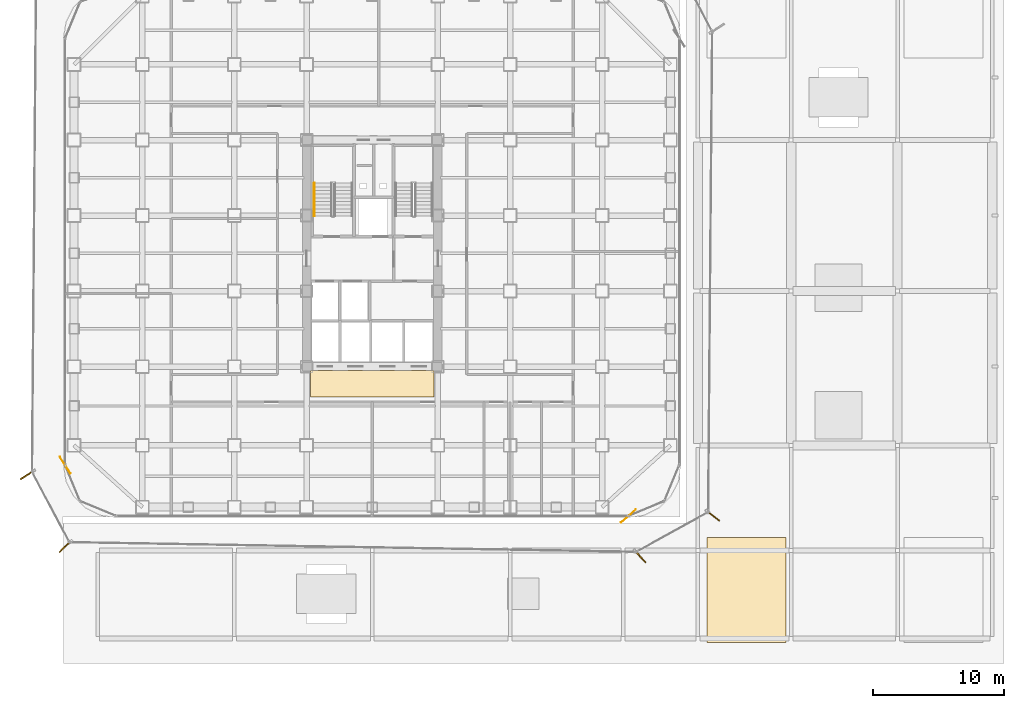
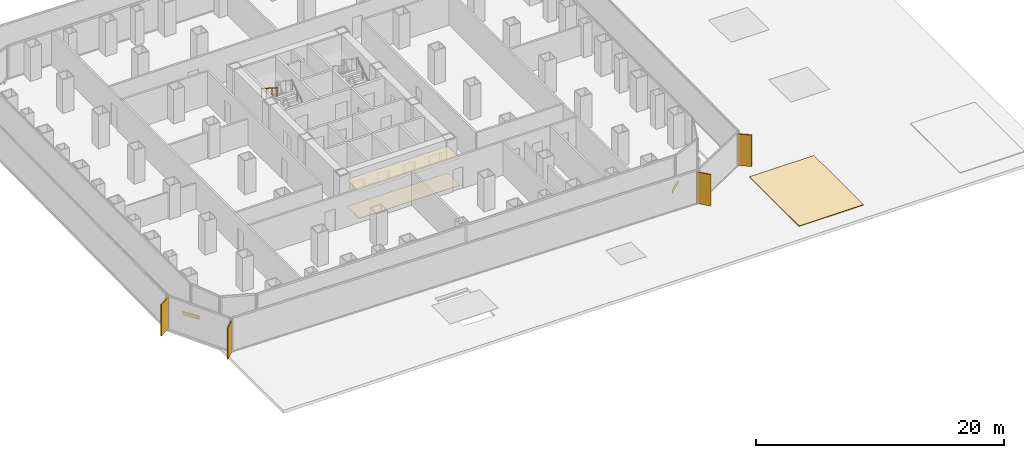
# One storey, part 25 of 27: 5 coverings, 4 shading devices, 1 railing.
"""IFC4 building model written with IfcOpenShell, lengths in metres."""

from ifc_helpers import new_model, si_unit, direction, frame, origin, origin_2d, place, context, subcontext, project, spatial, polyline, rectangle, circle, outline, extrude, source, transform, mapped, material, layer, layer_set, type_object, element, save


model = new_model("IFC4")

# Units and contexts
model_context = context("Model", 3, precision=1e-05, world=origin(), true_north=direction((0.0, 1.0)))
body_context = subcontext(model_context, "Body", "Model", "MODEL_VIEW")
ifc_project = project(units=[si_unit("LENGTHUNIT", "METRE"), si_unit("AREAUNIT", "SQUARE_METRE"), si_unit("VOLUMEUNIT", "CUBIC_METRE"), si_unit("PLANEANGLEUNIT", "RADIAN"), si_unit("MASSUNIT", "GRAM", prefix="KILO")], contexts=[model_context])

# Site, building, storey
site_placement = place(None, origin())
site = spatial("IfcSite", under=ifc_project, at=site_placement, CompositionType="ELEMENT")
building_placement = place(site_placement, origin())
building = spatial("IfcBuilding", under=site, at=building_placement, Name="Kolveth Station Tower", CompositionType="ELEMENT")
storey_placement = place(building_placement, frame((0.0, 0.0, 22.5)))
storey = spatial("IfcBuildingStorey", under=building, at=storey_placement, Name="L05", CompositionType="ELEMENT", Elevation=22.5)

# Coverings
ifc_material_1 = material(Name="Acoustic mineral-fibre ceiling tile")
ifc_layer_1 = layer(ifc_material_1, 0.02490234375)
ifc_layer_set_1 = layer_set([ifc_layer_1], Name="Acoustic mineral-fibre ceiling tile")
covering_type_1 = type_object("IfcCoveringType", Name="Ceil_CL1", PredefinedType="CEILING", material=ifc_layer_set_1)
covering_1_placement = place(storey_placement, frame((0.0, 0.0, 2.64990234375)))
element("IfcCovering", 1, at=covering_1_placement, inside=storey, type_object=covering_type_1, Name="L05 Lift Lobby Suspended Ceiling", PredefinedType="CEILING", context=body_context, shape_type="SweptSolid", body=[
    extrude(outline(polyline([(18.800048828125, 9.199951171875), (28.199951171875, 9.199951171875), (28.199951171875, 11.199951171875), (18.800048828125, 11.199951171875), (18.800048828125, 9.199951171875)])), origin(), (0.0, 0.0, 1.0), 0.025146484375),
])
ifc_material_2 = material(Name="Honed terrazzo flooring")
ifc_layer_2 = layer(ifc_material_2, 0.02001953125)
ifc_layer_set_2 = layer_set([ifc_layer_2], Name="Honed terrazzo flooring")
covering_type_2 = type_object("IfcCoveringType", Name="Floor_FL1", PredefinedType="FLOORING", material=ifc_layer_set_2)
covering_2_placement = place(storey_placement, origin())
element("IfcCovering", 2, at=covering_2_placement, inside=storey, type_object=covering_type_2, Name="L05 Lift Lobby Floor Finish", PredefinedType="FLOORING", context=body_context, shape_type="SweptSolid", body=[
    extrude(outline(polyline([(18.800048828125, 9.199951171875), (28.199951171875, 9.199951171875), (28.199951171875, 11.199951171875), (18.800048828125, 11.199951171875), (18.800048828125, 9.199951171875)])), origin(), (0.0, 0.0, 1.0), 0.02001953125),
])

# Railing
ifc_material_3 = material(Name="Brushed stainless steel", Category="steel")
railing_type = type_object("IfcRailingType", Name="Handrail_HR1", PredefinedType="HANDRAIL", material=ifc_material_3)
railing_placement = place(storey_placement, frame((19.090087890625, 25.469970703125, 1.97998046875)))
element("IfcRailing", 3, at=railing_placement, inside=storey, type_object=railing_type, Name="L05 ST1 stair handrail 2", PredefinedType="HANDRAIL", context=body_context, shape_type="SweptSolid", body=[
    extrude(circle(Radius=0.02392578125, at=origin_2d()), frame((0.0, 0.0, 0.8759765625), z_axis=(0.0, -0.841162588446, 0.540782303519), x_axis=(1.0, 0.0, 0.0)), (0.0, 0.0, 1.0), 2.995849609375),
    extrude(circle(Radius=0.02099609375, at=origin_2d()), origin(), (0.0, 0.0, 1.0), 0.851806640625),
    extrude(circle(Radius=0.02099609375, at=origin_2d()), frame((0.0, -0.840087890625, 0.5400390625)), (0.0, 0.0, 1.0), 0.851806640625),
    extrude(circle(Radius=0.02099609375, at=origin_2d()), frame((0.0, -1.679931640625, 1.080078125)), (0.0, 0.0, 1.0), 0.851806640625),
    extrude(circle(Radius=0.02099609375, at=origin_2d()), frame((0.0, -2.52001953125, 1.6201171875)), (0.0, 0.0, 1.0), 0.851806640625),
])

# Covering
ifc_material_4 = material(Name="Insulated EPDM roofing membrane")
ifc_layer_3 = layer(ifc_material_4, 0.06005859375)
ifc_layer_set_3 = layer_set([ifc_layer_3], Name="Insulated EPDM roofing membrane")
covering_type_3 = type_object("IfcCoveringType", Name="Roof_RF1", PredefinedType="ROOFING", material=ifc_layer_set_3)
covering_3_placement = place(storey_placement, origin())
element("IfcCovering", 4, at=covering_3_placement, inside=storey, type_object=covering_type_3, Name="L05 Station Canopy Roofing Membrane 1", PredefinedType="ROOFING", context=body_context, shape_type="SweptSolid", body=[
    extrude(outline(polyline([(49.0, -9.5), (55.0, -9.5), (55.0, -1.5), (49.0, -1.5), (49.0, -9.5)])), origin(), (0.0, 0.0, 1.0), 0.06005859375),
])

# Shading devices
ifc_material_5 = material(Name="Black anodized aluminium 6063-T6", Category="aluminium")
shading_device_type = type_object("IfcShadingDeviceType", Name="FIN_VF1", PredefinedType="USERDEFINED", material=ifc_material_5)
shared_shape_1 = source(origin(), body_context, "Body", "SweptSolid", [
    extrude(rectangle(XDim=1.25, YDim=0.090087890625, at=origin_2d()), origin(), (0.0, 0.0, 1.0), 3.10009765625),
])
for number, where, z_axis, x_axis, name in (
    (5, (43.89404296875, -2.951904296875, 0.0), (0.0, 0.0, 1.0), (0.660132778235, -0.75114893004, 0.0), "L05 Dark-Aluminium Solar Fin 1"),
    (6, (49.444091796875, 0.138916015625, 0.0), (0.0, 0.0, 1.0), (0.790368909154, -0.612631200187, 0.0), "L05 Dark-Aluminium Solar Fin 2"),
    (7, (-2.76806640625, 3.24609375, 0.0), (0.0, 0.0, 1.0), (-0.839430209734, -0.543467499475, 0.0), "L05 Dark-Aluminium Solar Fin 7"),
    (8, (0.135986328125, -2.193115234375, 0.0), (0.0, 0.0, 1.0), (-0.721155944485, -0.692772764861, 0.0), "L05 Dark-Aluminium Solar Fin 8"),
):
    element("IfcShadingDevice", number, at=place(storey_placement, frame(where, z_axis=z_axis, x_axis=x_axis)), inside=storey, type_object=shading_device_type, Name=name, ObjectType="FIN", PredefinedType="USERDEFINED", context=body_context, shape_type="MappedRepresentation", body=[
        mapped(shared_shape_1, transform((0.0, 0.0, 0.0), x_axis=(1.0, 0.0, 0.0), y_axis=(0.0, 1.0, 0.0), z_axis=(0.0, 0.0, 1.0), scale=1.0)),
    ])

# Coverings
ifc_material_6 = material(Name="Charcoal anodized aluminium spandrel cladding", Category="aluminium")
ifc_layer_4 = layer(ifc_material_6, 0.044921875)
ifc_layer_set_4 = layer_set([ifc_layer_4], Name="Charcoal anodized aluminium spandrel cladding")
covering_type_4 = type_object("IfcCoveringType", Name="Clad_CD1", PredefinedType="CLADDING", material=ifc_layer_set_4)
shared_shape_2 = source(origin(), body_context, "Body", "SweptSolid", [
    extrude(rectangle(XDim=1.5, YDim=0.044921875, at=origin_2d()), origin(), (0.0, 0.0, 1.0), 0.360107421875),
])
for number, where, z_axis, x_axis, name in (
    (9, (43.0, 0.1201171875, 0.0), (0.0, 0.0, 1.0), (0.75114893004, 0.660132778235, 0.0), "L05 Spandrel Edge Cladding 1"),
    (10, (0.1201171875, 4.0, 0.0), (0.0, 0.0, 1.0), (0.543467499475, -0.839430209734, 0.0), "L05 Spandrel Edge Cladding 7"),
):
    element("IfcCovering", number, at=place(storey_placement, frame(where, z_axis=z_axis, x_axis=x_axis)), inside=storey, type_object=covering_type_4, Name=name, PredefinedType="CLADDING", context=body_context, shape_type="MappedRepresentation", body=[
        mapped(shared_shape_2, transform((0.0, 0.0, 0.0), x_axis=(1.0, 0.0, 0.0), y_axis=(0.0, 1.0, 0.0), z_axis=(0.0, 0.0, 1.0), scale=1.0)),
    ])

save(model, "model.ifc")
